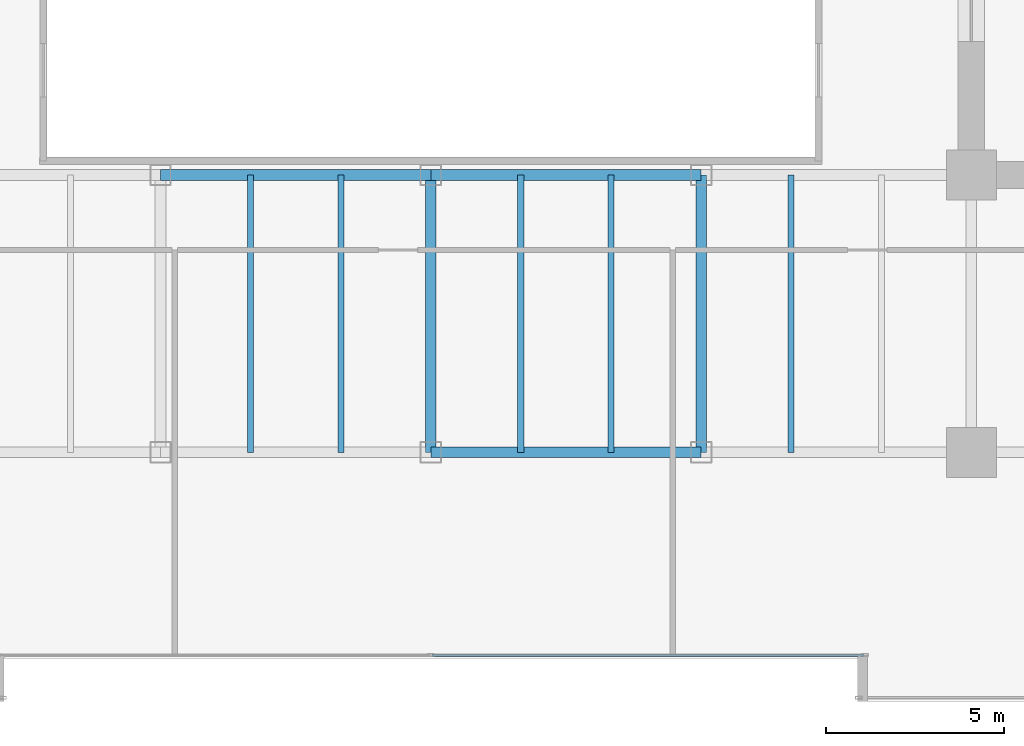
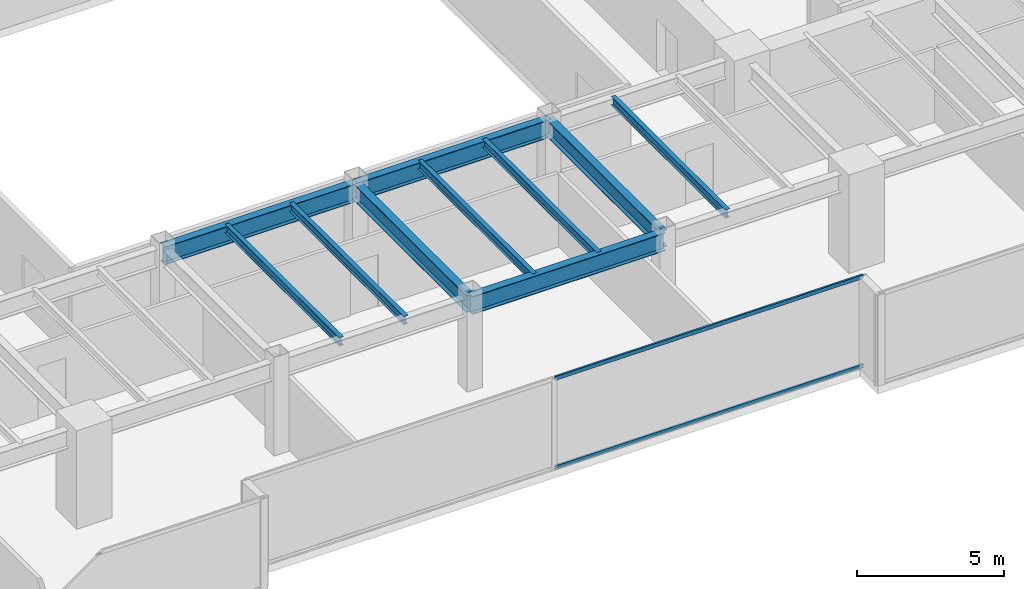
# One storey, part 9 of 35: 10 beams, 2 members, 1 element without a shape of its own.
"""IFC4 building model written with IfcOpenShell, lengths in metres."""

from ifc_helpers import new_model, si_unit, direction, frame, origin, origin_2d, place, context, subcontext, project, spatial, hollow_rectangle, i_section, extrude, source, transform, mapped, material, layer, layer_set, material_profile, profile_set, type_object, type_shapes, element, aggregate, save


model = new_model("IFC4")

# Units and contexts
model_context = context("Model", 3, precision=1e-05, world=origin(), true_north=direction((0.0, 1.0)))
body_context = subcontext(model_context, "Body", "Model", "MODEL_VIEW")
ifc_project = project(units=[si_unit("LENGTHUNIT", "METRE"), si_unit("AREAUNIT", "SQUARE_METRE"), si_unit("VOLUMEUNIT", "CUBIC_METRE"), si_unit("PLANEANGLEUNIT", "RADIAN"), si_unit("MASSUNIT", "GRAM", prefix="KILO")], contexts=[model_context])

# Site, building, storey
site_placement = place(None, origin())
site = spatial("IfcSite", under=ifc_project, at=site_placement, CompositionType="ELEMENT")
building_placement = place(site_placement, origin())
building = spatial("IfcBuilding", under=site, at=building_placement, Name="Haelvirn Gate Laboratories", CompositionType="ELEMENT")
storey_placement = place(building_placement, frame((0.0, 0.0, 58.0)))
storey = spatial("IfcBuildingStorey", under=building, at=storey_placement, Name="L14", CompositionType="ELEMENT", Elevation=58.0)

# Beams
ifc_material_1 = material(Name="Steel SM355", Category="steel")
ifc_material_profile_1 = material_profile(ifc_material_1, i_section(OverallWidth=0.300048828125, OverallDepth=0.699951171875, WebThickness=0.012939453125, FlangeThickness=0.02392578125, at=origin_2d()), Name="H-700x300x13x24")
ifc_profile_set_1 = profile_set([ifc_material_profile_1], Name="Steel SM355")
beam_type_1 = type_object("IfcBeamType", Name="BM-G-700", PredefinedType="BEAM", material=ifc_profile_set_1)
shared_shape_1 = source(origin(), body_context, "Body", "SweptSolid", [
    extrude(i_section(OverallWidth=0.300048828125, OverallDepth=0.699951171875, WebThickness=0.012939453125, FlangeThickness=0.02392578125, at=origin_2d()), origin(), (0.0, 0.0, 1.0), 7.800048828125),
])
type_shapes(beam_type_1, [shared_shape_1])
for number, where, z_axis, x_axis, name in (
    (1, (37.39990234375, 7.0, 3.429931640625), (0.0, 1.0, 0.0), (-1.0, 0.0, 0.0), "L14 Frame Girder X37.4 (7.0-14.8)"),
    (2, (45.0, 7.0, 3.429931640625), (0.0, 1.0, 0.0), (-1.0, 0.0, 0.0), "L14 Frame Girder X45.0 (7.0-14.8)"),
):
    element("IfcBeam", number, at=place(storey_placement, frame(where, z_axis=z_axis, x_axis=x_axis)), inside=storey, type_object=beam_type_1, Name=name, PredefinedType="BEAM", context=body_context, shape_type="MappedRepresentation", body=[
        mapped(shared_shape_1, transform((0.0, 0.0, 0.0), scale=1.0)),
    ])
ifc_material_profile_2 = material_profile(ifc_material_1, i_section(OverallWidth=0.300048828125, OverallDepth=0.75, WebThickness=0.013916015625, FlangeThickness=0.02392578125, at=origin_2d()), Name="H-750x300x14x24")
ifc_profile_set_2 = profile_set([ifc_material_profile_2], Name="Steel SM355")
beam_type_2 = type_object("IfcBeamType", Name="BM-G-750", PredefinedType="BEAM", material=ifc_profile_set_2)
shared_shape_2 = source(origin(), body_context, "Body", "SweptSolid", [
    extrude(i_section(OverallWidth=0.300048828125, OverallDepth=0.75, WebThickness=0.013916015625, FlangeThickness=0.02392578125, at=origin_2d()), origin(), (0.0, 0.0, 1.0), 7.60009765625),
])
for number, where, z_axis, x_axis, name in (
    (3, (37.39990234375, 7.0, 3.405029296875), (1.0, 0.0, 0.0), (0.0, 1.0, 0.0), "L14 Primary Girder Y7.0 (37.4-45.0)"),
    (4, (37.39990234375, 14.800048828125, 3.405029296875), (1.0, 0.0, 0.0), (0.0, 1.0, 0.0), "L14 Primary Girder Y14.8 (37.4-45.0)"),
):
    element("IfcBeam", number, at=place(storey_placement, frame(where, z_axis=z_axis, x_axis=x_axis)), inside=storey, type_object=beam_type_2, Name=name, PredefinedType="BEAM", context=body_context, shape_type="MappedRepresentation", body=[
        mapped(shared_shape_2, transform((0.0, 0.0, 0.0), scale=1.0)),
    ])
shared_shape_3 = source(origin(), body_context, "Body", "SweptSolid", [
    extrude(i_section(OverallWidth=0.300048828125, OverallDepth=0.75, WebThickness=0.013916015625, FlangeThickness=0.02392578125, at=origin_2d()), origin(), (0.0, 0.0, 1.0), 7.599853515625),
])
type_shapes(beam_type_2, [shared_shape_2, shared_shape_3])
beam_placement = place(storey_placement, frame((29.800048828125, 14.800048828125, 3.405029296875), z_axis=(1.0, 0.0, 0.0), x_axis=(0.0, 1.0, 0.0)))
element("IfcBeam", 5, at=beam_placement, inside=storey, type_object=beam_type_2, Name="L14 Primary Girder Y14.8 (29.8-37.4)", PredefinedType="BEAM", context=body_context, shape_type="MappedRepresentation", body=[
    mapped(shared_shape_3, transform((0.0, 0.0, 0.0), scale=1.0)),
])
ifc_material_profile_3 = material_profile(ifc_material_1, i_section(OverallWidth=0.175048828125, OverallDepth=0.35009765625, WebThickness=0.007080078125, FlangeThickness=0.010986328125, at=origin_2d()), Name="H-350x175x7x11")
ifc_profile_set_3 = profile_set([ifc_material_profile_3], Name="Steel SM355")
beam_type_3 = type_object("IfcBeamType", Name="BM-J-350", PredefinedType="JOIST", material=ifc_profile_set_3)
shared_shape_4 = source(origin(), body_context, "Body", "SweptSolid", [
    extrude(i_section(OverallWidth=0.175048828125, OverallDepth=0.35009765625, WebThickness=0.007080078125, FlangeThickness=0.010986328125, at=origin_2d()), origin(), (0.0, 0.0, 1.0), 7.800048828125),
])
type_shapes(beam_type_3, [shared_shape_4])
for number, where, z_axis, x_axis, name in (
    (6, (32.330078125, 7.0, 3.60498046875), (0.0, 1.0, 0.0), (-1.0, 0.0, 0.0), "L14 Composite Lab Joist South X32.33"),
    (7, (34.8701171875, 7.0, 3.60498046875), (0.0, 1.0, 0.0), (-1.0, 0.0, 0.0), "L14 Composite Lab Joist South X34.87"),
    (8, (39.929931640625, 7.0, 3.60498046875), (0.0, 1.0, 0.0), (-1.0, 0.0, 0.0), "L14 Composite Lab Joist South X39.93"),
    (9, (42.469970703125, 7.0, 3.60498046875), (0.0, 1.0, 0.0), (-1.0, 0.0, 0.0), "L14 Composite Lab Joist South X42.47"),
    (10, (47.530029296875, 7.0, 3.60498046875), (0.0, 1.0, 0.0), (-1.0, 0.0, 0.0), "L14 Composite Lab Joist South X47.53"),
):
    element("IfcBeam", number, at=place(storey_placement, frame(where, z_axis=z_axis, x_axis=x_axis)), inside=storey, type_object=beam_type_3, Name=name, PredefinedType="JOIST", context=body_context, shape_type="MappedRepresentation", body=[
        mapped(shared_shape_4, transform((0.0, 0.0, 0.0), scale=1.0)),
    ])

# Curtain wall, members
ifc_material_2 = material(Name="Anodised bronze unitised aluminium & triple low-E glass", Category="aluminium")
ifc_layer = layer(ifc_material_2, 0.18408203125, Name="CW-SYS-2")
ifc_layer_set = layer_set([ifc_layer], Name="Anodised bronze unitised aluminium & triple low-E glass")
curtain_wall_type = type_object("IfcCurtainWallType", Name="CW-SYS-2", PredefinedType="NOTDEFINED", material=ifc_layer_set)
curtain_wall_placement = place(storey_placement, origin())
curtain_wall = element("IfcCurtainWall", 11, at=curtain_wall_placement, inside=storey, type_object=curtain_wall_type, Name="L14 Unitised Curtain Wall CW-L14-P0-E02-1", PredefinedType="NOTDEFINED")
ifc_material_3 = material(Name="Extruded aluminium 6063-T6 (anodised bronze)", Category="aluminium")
ifc_material_profile_4 = material_profile(ifc_material_3, hollow_rectangle(XDim=0.070068359375, YDim=0.159912109375, WallThickness=0.0048828125, at=origin_2d()), Name="CWT-160x70x5")
ifc_profile_set_4 = profile_set([ifc_material_profile_4], Name="Extruded aluminium 6063-T6 (anodised bronze)")
member_type = type_object("IfcMemberType", Name="CWT-T160", PredefinedType="USERDEFINED", material=ifc_profile_set_4)
shared_shape_5 = source(origin(), body_context, "Body", "SweptSolid", [
    extrude(hollow_rectangle(XDim=0.070068359375, YDim=0.159912109375, WallThickness=0.0048828125, at=origin_2d()), origin(), (0.0, 0.0, 1.0), 12.12744140625),
])
type_shapes(member_type, [shared_shape_5])
member_1_placement = place(storey_placement, frame((37.4375, 1.300048828125, 0.034912109375), z_axis=(1.0, 0.0, 0.0), x_axis=(0.0, 1.0, 0.0)))
member_1 = element("IfcMember", 12, at=member_1_placement, type_object=member_type, Name="CW2 transom 2.1", ObjectType="TRANSOM", PredefinedType="USERDEFINED", context=body_context, shape_type="MappedRepresentation", body=[
    mapped(shared_shape_5, transform((0.0, 0.0, 0.0), scale=1.0)),
])
member_2_placement = place(storey_placement, frame((37.4375, 1.300048828125, 3.7451171875), z_axis=(1.0, 0.0, 0.0), x_axis=(0.0, 1.0, 0.0)))
member_2 = element("IfcMember", 13, at=member_2_placement, type_object=member_type, Name="CW2 transom 2.2", ObjectType="TRANSOM", PredefinedType="USERDEFINED", context=body_context, shape_type="MappedRepresentation", body=[
    mapped(shared_shape_5, transform((0.0, 0.0, 0.0), scale=1.0)),
])
aggregate(curtain_wall, [member_1, member_2])

save(model, "model.ifc")
